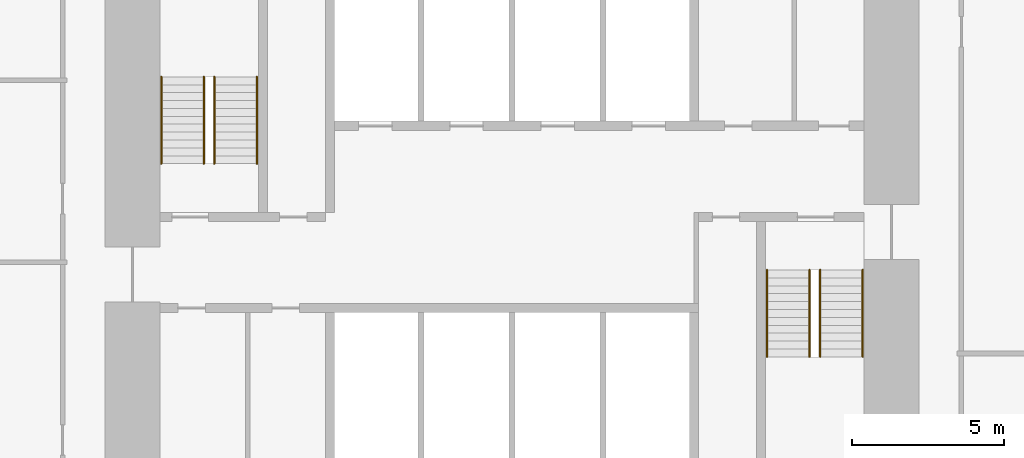
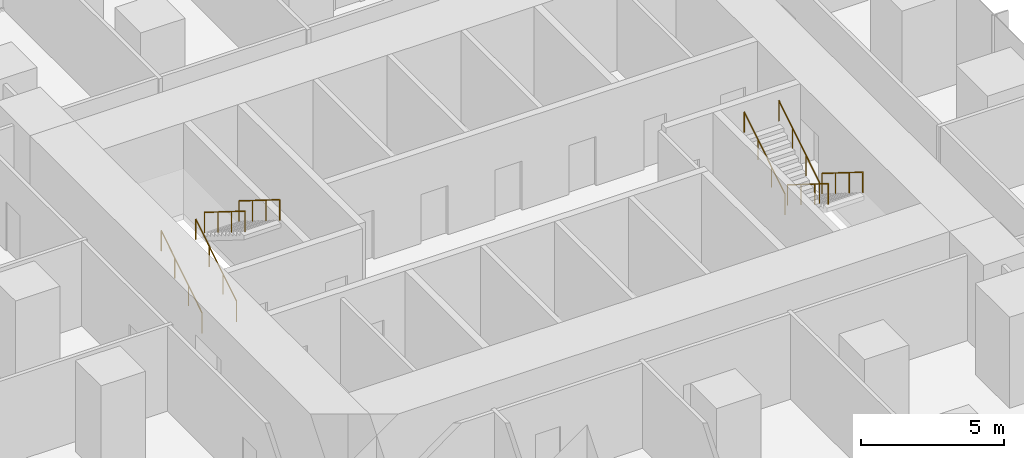
# One storey, part 12 of 12: 8 railings.
"""IFC4 building model written with IfcOpenShell, lengths in metres."""

from ifc_helpers import new_model, si_unit, direction, frame, origin, origin_2d, place, context, subcontext, project, spatial, circle, extrude, material, type_object, element, save


model = new_model("IFC4")

# Units and contexts
model_context = context("Model", 3, precision=1e-05, world=origin(), true_north=direction((0.0, 1.0)))
body_context = subcontext(model_context, "Body", "Model", "MODEL_VIEW")
ifc_project = project(units=[si_unit("LENGTHUNIT", "METRE"), si_unit("AREAUNIT", "SQUARE_METRE"), si_unit("VOLUMEUNIT", "CUBIC_METRE"), si_unit("PLANEANGLEUNIT", "RADIAN"), si_unit("MASSUNIT", "GRAM", prefix="KILO")], contexts=[model_context])

# Site, building, storey
site_placement = place(None, origin())
site = spatial("IfcSite", under=ifc_project, at=site_placement, CompositionType="ELEMENT")
building_placement = place(site_placement, origin())
building = spatial("IfcBuilding", under=site, at=building_placement, Name="Highveld Stack Headquarters", CompositionType="ELEMENT")
storey_placement = place(building_placement, frame((0.0, 0.0, 26.0)))
storey = spatial("IfcBuildingStorey", under=building, at=storey_placement, Name="L05", CompositionType="ELEMENT", Elevation=26.0)

# Railings
ifc_material = material(Name="Stainless steel handrail", Category="steel")
railing_type = type_object("IfcRailingType", Name="STAIR HANDRAIL HR1 900", PredefinedType="HANDRAIL", material=ifc_material)
for number, where, name in (
    (1, (-5.550048828125, 4.75, 0.16259765625), "Handrail S1 L05 flight 1"),
    (2, (-4.14990234375, 4.75, 0.16259765625), "Handrail S1 L05 flight 1"),
):
    element("IfcRailing", number, at=place(storey_placement, frame(where)), inside=storey, type_object=railing_type, Name=name, PredefinedType="HANDRAIL", context=body_context, shape_type="SweptSolid", body=[
        extrude(circle(Radius=0.02392578125, at=origin_2d()), frame((0.0, 0.0, 0.8759765625), z_axis=(0.0, 0.848026770018, 0.529953391661), x_axis=(-1.0, 0.0, 0.0)), (0.0, 0.0, 1.0), 3.37255859375),
        extrude(circle(Radius=0.02099609375, at=origin_2d()), origin(), (0.0, 0.0, 1.0), 0.851806640625),
        extrude(circle(Radius=0.02099609375, at=origin_2d()), frame((0.0, 0.953369140625, 0.595703125)), (0.0, 0.0, 1.0), 0.851806640625),
        extrude(circle(Radius=0.02099609375, at=origin_2d()), frame((0.0, 1.90673828125, 1.191650390625)), (0.0, 0.0, 1.0), 0.851806640625),
        extrude(circle(Radius=0.02099609375, at=origin_2d()), frame((0.0, 2.860107421875, 1.787353515625)), (0.0, 0.0, 1.0), 0.851806640625),
    ])
for number, where, name in (
    (3, (-3.800048828125, 7.610107421875, 2.112548828125), "Handrail S1 L05 flight 2"),
    (4, (-2.39990234375, 7.610107421875, 2.112548828125), "Handrail S1 L05 flight 2"),
    (5, (16.14990234375, 1.25, 0.16259765625), "Handrail S2 L05 flight 1"),
    (6, (17.550048828125, 1.25, 0.16259765625), "Handrail S2 L05 flight 1"),
):
    element("IfcRailing", number, at=place(storey_placement, frame(where)), inside=storey, type_object=railing_type, Name=name, PredefinedType="HANDRAIL", context=body_context, shape_type="SweptSolid", body=[
        extrude(circle(Radius=0.02392578125, at=origin_2d()), frame((0.0, 0.0, 0.8759765625), z_axis=(0.0, -0.848026770018, 0.529953391661), x_axis=(1.0, 0.0, 0.0)), (0.0, 0.0, 1.0), 3.37255859375),
        extrude(circle(Radius=0.02099609375, at=origin_2d()), origin(), (0.0, 0.0, 1.0), 0.851806640625),
        extrude(circle(Radius=0.02099609375, at=origin_2d()), frame((0.0, -0.953369140625, 0.595703125)), (0.0, 0.0, 1.0), 0.851806640625),
        extrude(circle(Radius=0.02099609375, at=origin_2d()), frame((0.0, -1.90673828125, 1.191650390625)), (0.0, 0.0, 1.0), 0.851806640625),
        extrude(circle(Radius=0.02099609375, at=origin_2d()), frame((0.0, -2.860107421875, 1.787353515625)), (0.0, 0.0, 1.0), 0.851806640625),
    ])
for number, where, name in (
    (7, (14.39990234375, -1.610107421875, 2.112548828125), "Handrail S2 L05 flight 2"),
    (8, (15.800048828125, -1.610107421875, 2.112548828125), "Handrail S2 L05 flight 2"),
):
    element("IfcRailing", number, at=place(storey_placement, frame(where)), inside=storey, type_object=railing_type, Name=name, PredefinedType="HANDRAIL", context=body_context, shape_type="SweptSolid", body=[
        extrude(circle(Radius=0.02392578125, at=origin_2d()), frame((0.0, 0.0, 0.8759765625), z_axis=(0.0, 0.848026770018, 0.529953391661), x_axis=(-1.0, 0.0, 0.0)), (0.0, 0.0, 1.0), 3.37255859375),
        extrude(circle(Radius=0.02099609375, at=origin_2d()), origin(), (0.0, 0.0, 1.0), 0.851806640625),
        extrude(circle(Radius=0.02099609375, at=origin_2d()), frame((0.0, 0.953369140625, 0.595703125)), (0.0, 0.0, 1.0), 0.851806640625),
        extrude(circle(Radius=0.02099609375, at=origin_2d()), frame((0.0, 1.90673828125, 1.191650390625)), (0.0, 0.0, 1.0), 0.851806640625),
        extrude(circle(Radius=0.02099609375, at=origin_2d()), frame((0.0, 2.860107421875, 1.787353515625)), (0.0, 0.0, 1.0), 0.851806640625),
    ])

save(model, "model.ifc")
